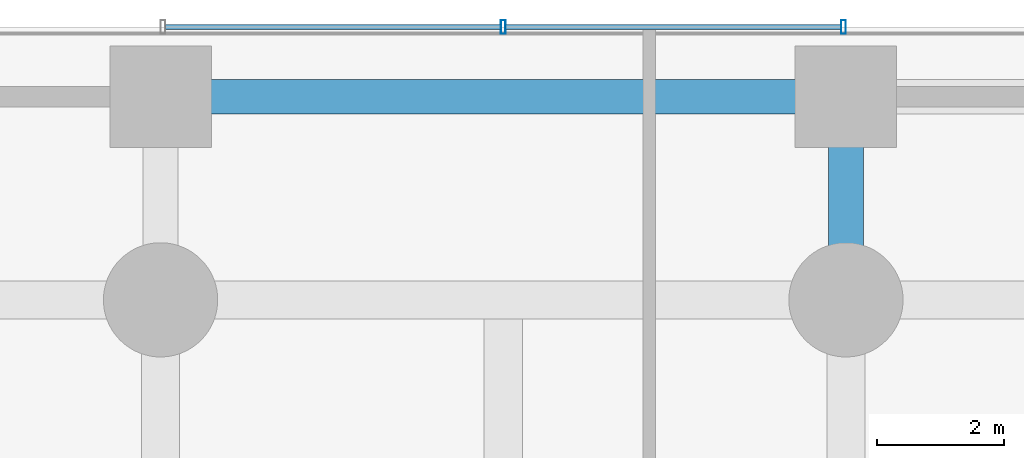
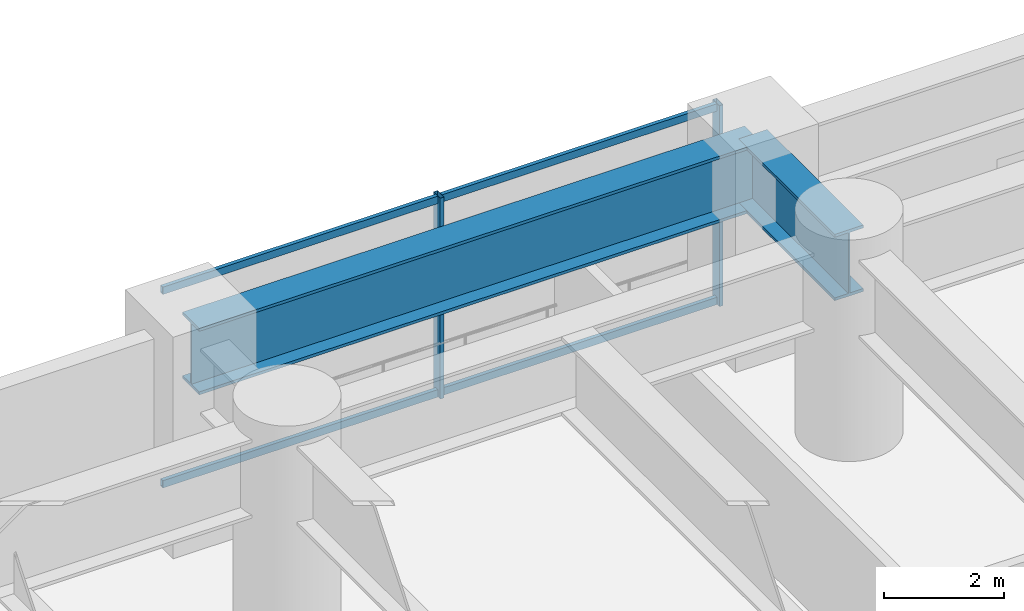
# One storey, part 15 of 37: 6 members, 2 beams, 1 element without a shape of its own.
"""IFC4 building model written with IfcOpenShell, lengths in metres."""

from ifc_helpers import new_model, si_unit, direction, frame, origin, origin_2d, place, context, subcontext, project, spatial, hollow_rectangle, i_section, extrude, material, layer, layer_set, material_profile, profile_set, type_object, element, aggregate, save


model = new_model("IFC4")

# Units and contexts
model_context = context("Model", 3, precision=1e-05, world=origin(), true_north=direction((0.0, 1.0)))
body_context = subcontext(model_context, "Body", "Model", "MODEL_VIEW")
ifc_project = project(units=[si_unit("LENGTHUNIT", "METRE"), si_unit("AREAUNIT", "SQUARE_METRE"), si_unit("VOLUMEUNIT", "CUBIC_METRE"), si_unit("PLANEANGLEUNIT", "RADIAN"), si_unit("MASSUNIT", "GRAM", prefix="KILO")], contexts=[model_context])

# Site, building, storey
site_placement = place(None, origin())
site = spatial("IfcSite", under=ifc_project, at=site_placement, CompositionType="ELEMENT")
building_placement = place(site_placement, origin())
building = spatial("IfcBuilding", under=site, at=building_placement, Name="Surkhivell Harbour Commons", CompositionType="ELEMENT")
storey_placement = place(building_placement, frame((0.0, 0.0, 18.0)))
storey = spatial("IfcBuildingStorey", under=building, at=storey_placement, Name="L04", CompositionType="ELEMENT", Elevation=18.0)

# Beams
ifc_material_1 = material(Name="Steel S460", Category="steel")
ifc_material_profile_1 = material_profile(ifc_material_1, i_section(OverallWidth=0.550048828125, OverallDepth=1.35009765625, WebThickness=0.031982421875, FlangeThickness=0.06005859375, at=origin_2d()), Name="WPG1350x550x248")
ifc_profile_set_1 = profile_set([ifc_material_profile_1], Name="Steel S460")
beam_type = type_object("IfcBeamType", Name="BM-TRF-1350", PredefinedType="BEAM", material=ifc_profile_set_1)
beam_1_placement = place(storey_placement, frame((-21.60009765625, 24.800048828125, 3.405029296875), z_axis=(1.0, 0.0, 0.0), x_axis=(0.0, 1.0, 0.0)))
element("IfcBeam", 1, at=beam_1_placement, inside=storey, type_object=beam_type, Name="L04 Transfer Girder (-21.6,24.8)", PredefinedType="BEAM", context=body_context, shape_type="SweptSolid", body=[
    extrude(i_section(OverallWidth=0.550048828125, OverallDepth=1.35009765625, WebThickness=0.031982421875, FlangeThickness=0.06005859375, at=origin_2d()), origin(), (0.0, 0.0, 1.0), 10.800048828125),
])
beam_2_placement = place(storey_placement, frame((-10.800048828125, 21.60009765625, 3.405029296875), z_axis=(0.0, 1.0, 0.0), x_axis=(-1.0, 0.0, 0.0)))
element("IfcBeam", 2, at=beam_2_placement, inside=storey, type_object=beam_type, Name="L04 Transfer Girder (-10.8,21.6)", PredefinedType="BEAM", context=body_context, shape_type="SweptSolid", body=[
    extrude(i_section(OverallWidth=0.550048828125, OverallDepth=1.35009765625, WebThickness=0.031982421875, FlangeThickness=0.06005859375, at=origin_2d()), origin(), (0.0, 0.0, 1.0), 3.199951171875),
])

# Curtain wall, members
ifc_material_2 = material(Name="Anodised pale-metal aluminium and insulated glazing", Category="aluminium")
ifc_layer = layer(ifc_material_2, 0.239990234375)
ifc_layer_set = layer_set([ifc_layer], Name="Anodised pale-metal aluminium and insulated glazing")
curtain_wall_type = type_object("IfcCurtainWallType", Name="CW-SYS-POD", PredefinedType="NOTDEFINED", material=ifc_layer_set)
curtain_wall_placement = place(storey_placement, origin())
curtain_wall = element("IfcCurtainWall", 3, at=curtain_wall_placement, inside=storey, type_object=curtain_wall_type, Name="L04 Curtain Wall CW-L04-N3", PredefinedType="NOTDEFINED")
ifc_material_3 = material(Name="Anodised pale-metal aluminium alloy 6063-T6", Category="aluminium")
ifc_material_profile_2 = material_profile(ifc_material_3, hollow_rectangle(XDim=0.074951171875, YDim=0.219970703125, WallThickness=0.00390625, at=origin_2d()), Name="ALU-MULL-75x220")
ifc_profile_set_2 = profile_set([ifc_material_profile_2], Name="Anodised pale-metal aluminium alloy 6063-T6")
member_type_1 = type_object("IfcMemberType", Name="CWM-220", PredefinedType="MULLION", material=ifc_profile_set_2)
member_1_placement = place(storey_placement, frame((-16.199951171875, 25.89990234375, 0.0), z_axis=(0.0, 0.0, 1.0), x_axis=(1.0, 0.0, 0.0)))
member_1 = element("IfcMember", 4, at=member_1_placement, type_object=member_type_1, Name="CW-POD mullion 2", PredefinedType="MULLION", context=body_context, shape_type="SweptSolid", body=[
    extrude(hollow_rectangle(XDim=0.074951171875, YDim=0.219970703125, WallThickness=0.00390625, at=origin_2d()), origin(), (0.0, 0.0, 1.0), 4.080078125),
])
member_2_placement = place(storey_placement, frame((-10.83740234375, 25.89990234375, 0.0), z_axis=(0.0, 0.0, 1.0), x_axis=(1.0, 0.0, 0.0)))
member_2 = element("IfcMember", 5, at=member_2_placement, type_object=member_type_1, Name="CW-POD mullion 3", PredefinedType="MULLION", context=body_context, shape_type="SweptSolid", body=[
    extrude(hollow_rectangle(XDim=0.074951171875, YDim=0.219970703125, WallThickness=0.00390625, at=origin_2d()), origin(), (0.0, 0.0, 1.0), 4.080078125),
])
ifc_material_profile_3 = material_profile(ifc_material_3, hollow_rectangle(XDim=0.074951171875, YDim=0.14990234375, WallThickness=0.00341796875, at=origin_2d()), Name="ALU-TRAN-75x150")
ifc_profile_set_3 = profile_set([ifc_material_profile_3], Name="Anodised pale-metal aluminium alloy 6063-T6")
member_type_2 = type_object("IfcMemberType", Name="CWT-150", PredefinedType="USERDEFINED", material=ifc_profile_set_3)
member_3_placement = place(storey_placement, frame((-21.52490234375, 25.89990234375, 0.074951171875), z_axis=(1.0, 0.0, 0.0), x_axis=(0.0, 1.0, 0.0)))
member_3 = element("IfcMember", 6, at=member_3_placement, type_object=member_type_2, Name="CW-POD transom 1.1", ObjectType="TRANSOM", PredefinedType="USERDEFINED", context=body_context, shape_type="SweptSolid", body=[
    extrude(hollow_rectangle(XDim=0.074951171875, YDim=0.14990234375, WallThickness=0.00341796875, at=origin_2d()), origin(), (0.0, 0.0, 1.0), 5.287353515625),
])
member_4_placement = place(storey_placement, frame((-21.52490234375, 25.89990234375, 4.0048828125), z_axis=(1.0, 0.0, 0.0), x_axis=(0.0, 1.0, 0.0)))
member_4 = element("IfcMember", 7, at=member_4_placement, type_object=member_type_2, Name="CW-POD transom 1.2", ObjectType="TRANSOM", PredefinedType="USERDEFINED", context=body_context, shape_type="SweptSolid", body=[
    extrude(hollow_rectangle(XDim=0.074951171875, YDim=0.14990234375, WallThickness=0.00341796875, at=origin_2d()), origin(), (0.0, 0.0, 1.0), 5.287353515625),
])
member_5_placement = place(storey_placement, frame((-16.16259765625, 25.89990234375, 0.074951171875), z_axis=(1.0, 0.0, 0.0), x_axis=(0.0, 1.0, 0.0)))
member_5 = element("IfcMember", 8, at=member_5_placement, type_object=member_type_2, Name="CW-POD transom 2.1", ObjectType="TRANSOM", PredefinedType="USERDEFINED", context=body_context, shape_type="SweptSolid", body=[
    extrude(hollow_rectangle(XDim=0.074951171875, YDim=0.14990234375, WallThickness=0.00341796875, at=origin_2d()), origin(), (0.0, 0.0, 1.0), 5.28759765625),
])
member_6_placement = place(storey_placement, frame((-16.16259765625, 25.89990234375, 4.0048828125), z_axis=(1.0, 0.0, 0.0), x_axis=(0.0, 1.0, 0.0)))
member_6 = element("IfcMember", 9, at=member_6_placement, type_object=member_type_2, Name="CW-POD transom 2.2", ObjectType="TRANSOM", PredefinedType="USERDEFINED", context=body_context, shape_type="SweptSolid", body=[
    extrude(hollow_rectangle(XDim=0.074951171875, YDim=0.14990234375, WallThickness=0.00341796875, at=origin_2d()), origin(), (0.0, 0.0, 1.0), 5.28759765625),
])
aggregate(curtain_wall, [member_1, member_2, member_3, member_4, member_5, member_6])

save(model, "model.ifc")
